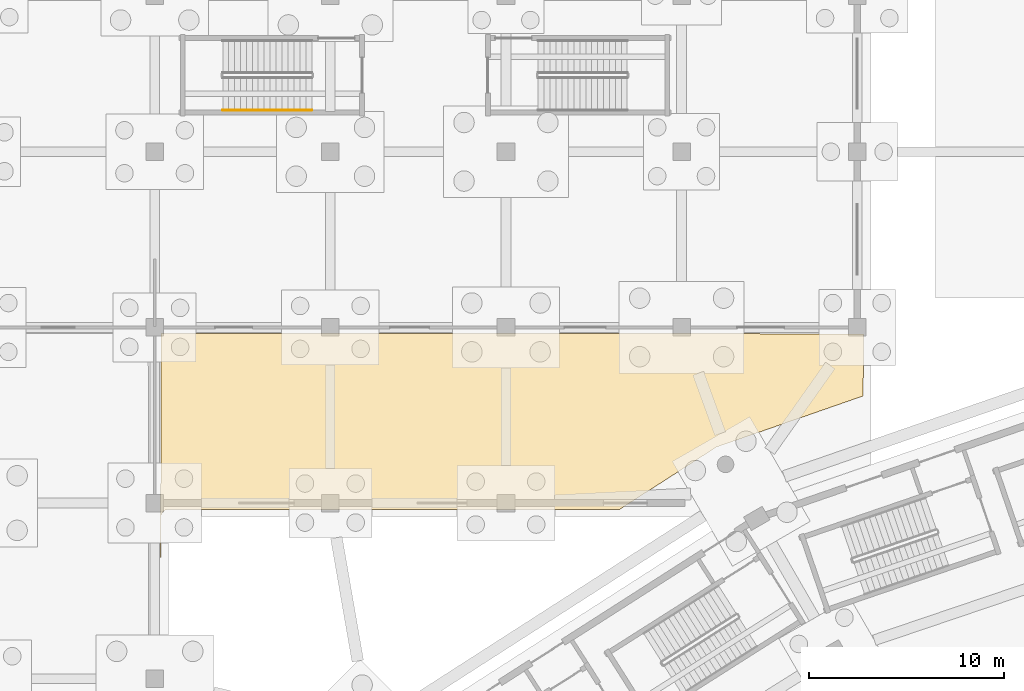
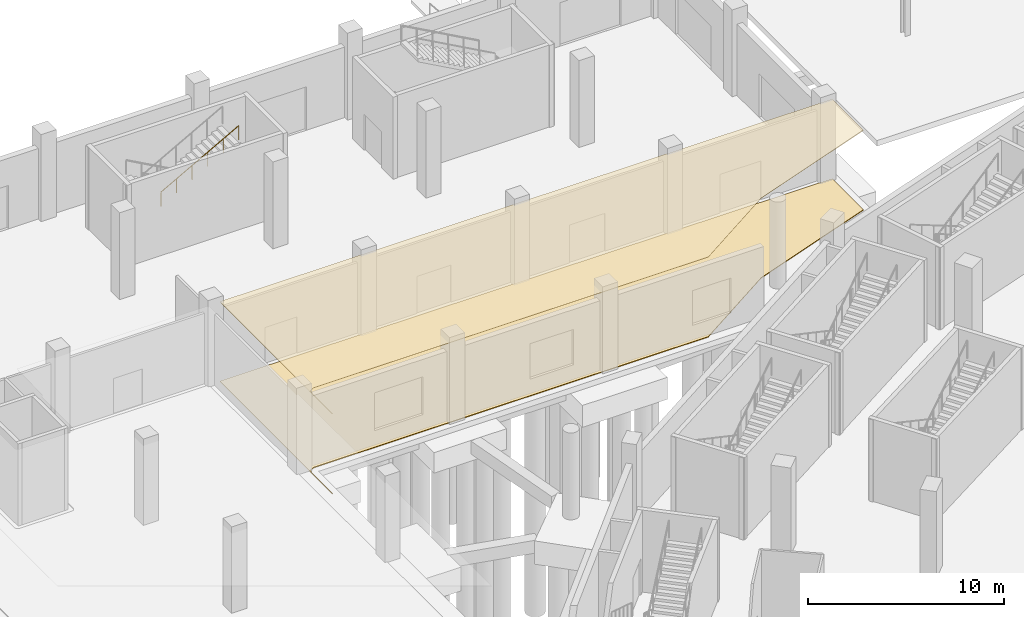
# One storey, part 86 of 103: 2 coverings, 1 railing.
"""IFC4 building model written with IfcOpenShell, lengths in metres."""

from ifc_helpers import new_model, si_unit, direction, frame, origin, origin_2d, place, context, subcontext, project, spatial, polyline, circle, outline, extrude, material, layer, layer_set, type_object, element, save


model = new_model("IFC4")

# Units and contexts
model_context = context("Model", 3, precision=1e-05, world=origin(), true_north=direction((0.0, 1.0)))
body_context = subcontext(model_context, "Body", "Model", "MODEL_VIEW")
ifc_project = project(units=[si_unit("LENGTHUNIT", "METRE"), si_unit("AREAUNIT", "SQUARE_METRE"), si_unit("VOLUMEUNIT", "CUBIC_METRE"), si_unit("PLANEANGLEUNIT", "RADIAN"), si_unit("MASSUNIT", "GRAM", prefix="KILO")], contexts=[model_context])

# Site, building, storey
site_placement = place(None, origin())
site = spatial("IfcSite", under=ifc_project, at=site_placement, CompositionType="ELEMENT")
building_placement = place(site_placement, origin())
building = spatial("IfcBuilding", under=site, at=building_placement, Name="Zevraka Park Crest Stadium", CompositionType="ELEMENT")
storey_placement = place(building_placement, origin())
storey = spatial("IfcBuildingStorey", under=building, at=storey_placement, Name="L00", CompositionType="ELEMENT", Elevation=0.0)

# Coverings
ifc_material_1 = material(Name="Perforated acoustic mineral-fibre suspended ceiling", Category="other")
ifc_layer_1 = layer(ifc_material_1, 0.02490234375)
ifc_layer_set_1 = layer_set([ifc_layer_1], Name="Perforated acoustic mineral-fibre suspended ceiling")
covering_type_1 = type_object("IfcCoveringType", Name="CLG01", PredefinedType="CEILING", material=ifc_layer_set_1)
covering_1_placement = place(storey_placement, frame((0.0, 0.0, 4.9599609375)))
element("IfcCovering", 1, at=covering_1_placement, inside=storey, type_object=covering_type_1, Name="Acoustic Ceiling Parkside Pavilion Cafe L00-072", PredefinedType="CEILING", context=body_context, shape_type="SweptSolid", body=[
    extrude(outline(polyline([(36.300048828125, 155.215087890625), (36.327880859375, 166.697998046875), (72.31689453125, 166.672119140625), (72.303955078125, 163.489013671875), (64.81298828125, 160.87890625), (64.791015625, 160.8701171875), (64.77099609375, 160.85791015625), (59.833984375, 157.681884765625), (36.68310546875, 157.678955078125), (36.660888671875, 157.677978515625), (36.639892578125, 157.674072265625), (36.618896484375, 157.66796875), (36.59912109375, 157.659912109375), (36.489013671875, 157.60888671875), (36.470947265625, 157.60009765625), (36.455078125, 157.589111328125), (36.43896484375, 157.576904296875), (36.425048828125, 157.56201171875), (36.412109375, 157.547119140625), (36.40087890625, 157.530029296875), (36.39208984375, 157.512939453125), (36.340087890625, 157.402099609375), (36.33203125, 157.382080078125), (36.325927734375, 157.361083984375), (36.322021484375, 157.339111328125), (36.321044921875, 157.31689453125), (36.319091796875, 155.217041015625), (36.300048828125, 155.215087890625)])), origin(), (0.0, 0.0, 1.0), 0.025146484375),
])
ifc_material_2 = material(Name="Honed terrazzo and slip-resistant sports flooring", Category="other")
ifc_layer_2 = layer(ifc_material_2, 0.0400390625)
ifc_layer_set_2 = layer_set([ifc_layer_2], Name="Honed terrazzo and slip-resistant sports flooring")
covering_type_2 = type_object("IfcCoveringType", Name="FLR01", PredefinedType="FLOORING", material=ifc_layer_set_2)
covering_2_placement = place(storey_placement, origin())
element("IfcCovering", 2, at=covering_2_placement, inside=storey, type_object=covering_type_2, Name="Terrazzo Floor Finish Parkside Pavilion Cafe L00-072", PredefinedType="FLOORING", context=body_context, shape_type="SweptSolid", body=[
    extrude(outline(polyline([(36.300048828125, 155.215087890625), (36.327880859375, 166.697998046875), (72.31689453125, 166.672119140625), (72.303955078125, 163.489013671875), (64.81298828125, 160.87890625), (64.791015625, 160.8701171875), (64.77099609375, 160.85791015625), (59.833984375, 157.681884765625), (36.68310546875, 157.678955078125), (36.660888671875, 157.677978515625), (36.639892578125, 157.674072265625), (36.618896484375, 157.66796875), (36.59912109375, 157.659912109375), (36.489013671875, 157.60888671875), (36.470947265625, 157.60009765625), (36.455078125, 157.589111328125), (36.43896484375, 157.576904296875), (36.425048828125, 157.56201171875), (36.412109375, 157.547119140625), (36.40087890625, 157.530029296875), (36.39208984375, 157.512939453125), (36.340087890625, 157.402099609375), (36.33203125, 157.382080078125), (36.325927734375, 157.361083984375), (36.322021484375, 157.339111328125), (36.321044921875, 157.31689453125), (36.319091796875, 155.217041015625), (36.300048828125, 155.215087890625)])), origin(), (0.0, 0.0, 1.0), 0.0400390625),
])

# Railing
ifc_material_3 = material(Name="Brushed stainless steel continuous handrail", Category="steel")
railing_type = type_object("IfcRailingType", Name="HR01", PredefinedType="HANDRAIL", material=ifc_material_3)
railing_placement = place(storey_placement, frame((39.47509765625, 178.139892578125, 2.86865234375)))
element("IfcRailing", 3, at=railing_placement, inside=storey, type_object=railing_type, Name="L00 ST49 stair handrail 2", PredefinedType="HANDRAIL", context=body_context, shape_type="SweptSolid", body=[
    extrude(circle(Radius=0.02392578125, at=origin_2d()), frame((0.0, 0.0, 0.8759765625), z_axis=(0.874999533545, 0.0, 0.484123761342), x_axis=(0.0, 1.0, 0.0)), (0.0, 0.0, 1.0), 5.228515625),
    extrude(circle(Radius=0.02099609375, at=origin_2d()), origin(), (0.0, 0.0, 1.0), 0.851806640625),
    extrude(circle(Radius=0.02099609375, at=origin_2d()), frame((0.9150390625, 0.0, 0.50634765625)), (0.0, 0.0, 1.0), 0.851806640625),
    extrude(circle(Radius=0.02099609375, at=origin_2d()), frame((1.830078125, 0.0, 1.012451171875)), (0.0, 0.0, 1.0), 0.851806640625),
    extrude(circle(Radius=0.02099609375, at=origin_2d()), frame((2.744873046875, 0.0, 1.518798828125)), (0.0, 0.0, 1.0), 0.851806640625),
    extrude(circle(Radius=0.02099609375, at=origin_2d()), frame((3.659912109375, 0.0, 2.02490234375)), (0.0, 0.0, 1.0), 0.851806640625),
    extrude(circle(Radius=0.02099609375, at=origin_2d()), frame((4.574951171875, 0.0, 2.53125)), (0.0, 0.0, 1.0), 0.851806640625),
])

save(model, "model.ifc")
